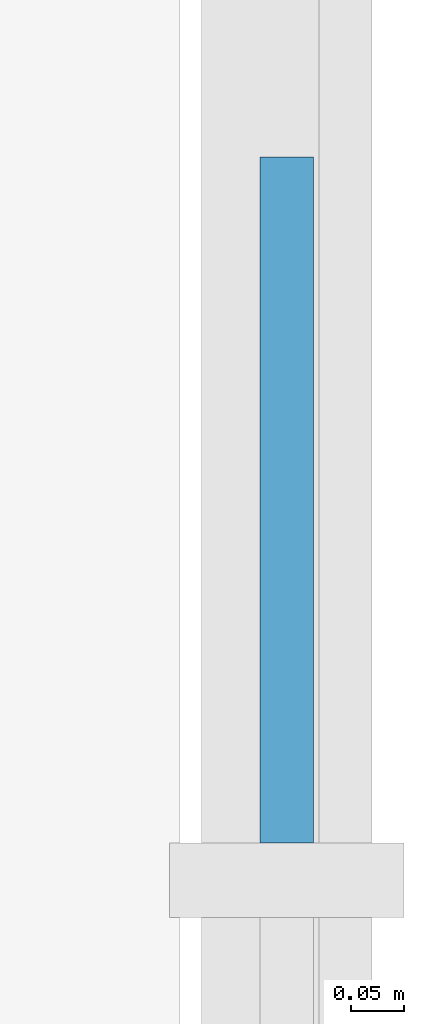
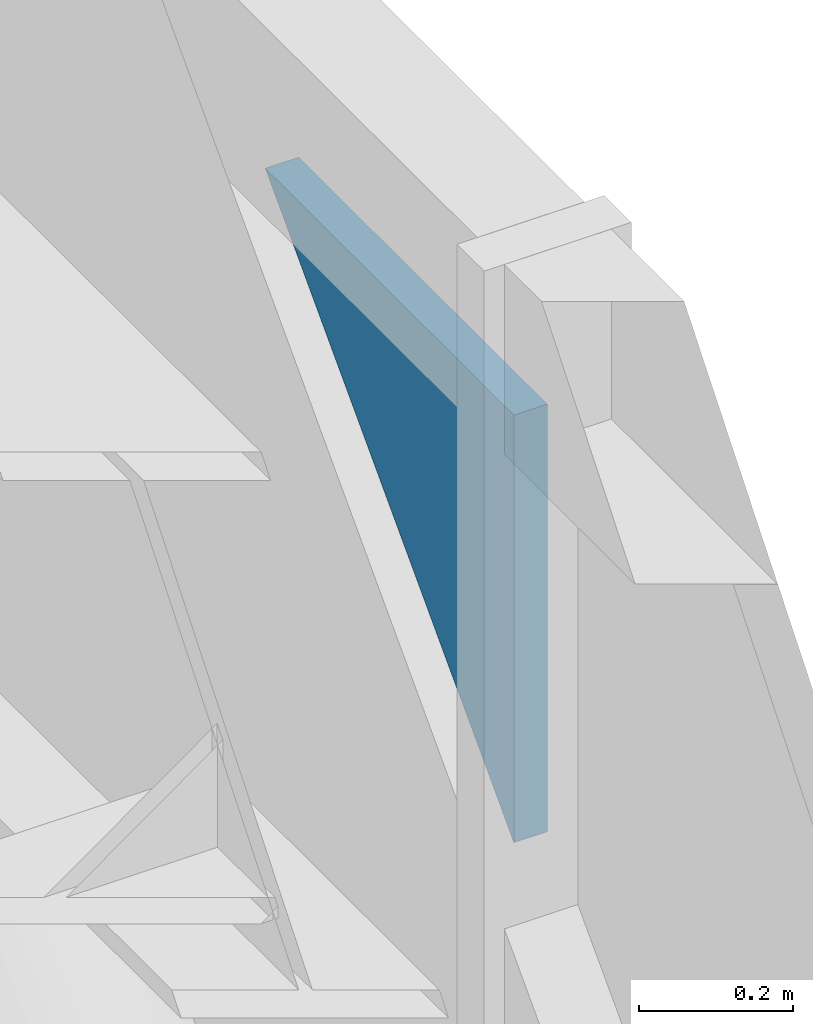
# One storey, part 12 of 17: 1 plate, 1 element without a shape of its own.
"""IFC4 building model written with IfcOpenShell, lengths in metres."""

from ifc_helpers import new_model, si_unit, direction, frame, origin, place, context, subcontext, project, spatial, polyline, outline, extrude, material, layer, layer_set, type_object, element, aggregate, save


model = new_model("IFC4")

# Units and contexts
model_context = context("Model", 3, precision=1e-05, world=origin(), true_north=direction((0.0, 1.0)))
body_context = subcontext(model_context, "Body", "Model", "MODEL_VIEW")
ifc_project = project(units=[si_unit("LENGTHUNIT", "METRE"), si_unit("AREAUNIT", "SQUARE_METRE"), si_unit("VOLUMEUNIT", "CUBIC_METRE"), si_unit("PLANEANGLEUNIT", "RADIAN"), si_unit("MASSUNIT", "GRAM", prefix="KILO")], contexts=[model_context])

# Site, building, storey
site_placement = place(None, origin())
site = spatial("IfcSite", under=ifc_project, at=site_placement, CompositionType="ELEMENT")
building_placement = place(site_placement, origin())
building = spatial("IfcBuilding", under=site, at=building_placement, Name="Rheinbord Bourse Tower", CompositionType="ELEMENT")
storey_placement = place(building_placement, frame((0.0, 0.0, 190.0)))
storey = spatial("IfcBuildingStorey", under=building, at=storey_placement, Name="L42", CompositionType="ELEMENT", Elevation=190.0)

# Curtain wall, plate
ifc_material_1 = material(Name="Dark glass and black aluminium", Category="aluminium")
curtain_wall_type = type_object("IfcCurtainWallType", Name="CW2 DARK GLASS CURTAIN WALL", PredefinedType="USERDEFINED", material=ifc_material_1)
curtain_wall_placement = place(storey_placement, origin())
curtain_wall = element("IfcCurtainWall", 1, at=curtain_wall_placement, inside=storey, type_object=curtain_wall_type, Name="Curtain wall CW2 E L42", ObjectType="UNITISED CURTAIN WALL", PredefinedType="USERDEFINED")
ifc_material_2 = material(Name="Dark tinted triple insulating glass", Category="glass")
ifc_layer = layer(ifc_material_2, 0.050048828125)
ifc_layer_set = layer_set([ifc_layer], Name="CW2 DARK GLASS PANEL")
plate_type = type_object("IfcPlateType", Name="CW2 DARK GLASS PANEL", PredefinedType="CURTAIN_PANEL", material=ifc_layer_set)
plate_placement = place(storey_placement, frame((72.625, 14.235107421875, 3.89990234375), z_axis=(-1.0, 0.0, 0.0), x_axis=(0.0, 1.0, 0.0)))
plate = element("IfcPlate", 2, at=plate_placement, type_object=plate_type, Name="CW2 glass facet 1", PredefinedType="CURTAIN_PANEL", context=body_context, shape_type="SweptSolid", body=[
    extrude(outline(polyline([(0.0, 0.0), (0.643798828125, 0.0), (0.0, 0.67578125), (0.0, 0.0)])), origin(), (0.0, 0.0, 1.0), 0.050048828125),
])
aggregate(curtain_wall, [plate])

save(model, "model.ifc")
